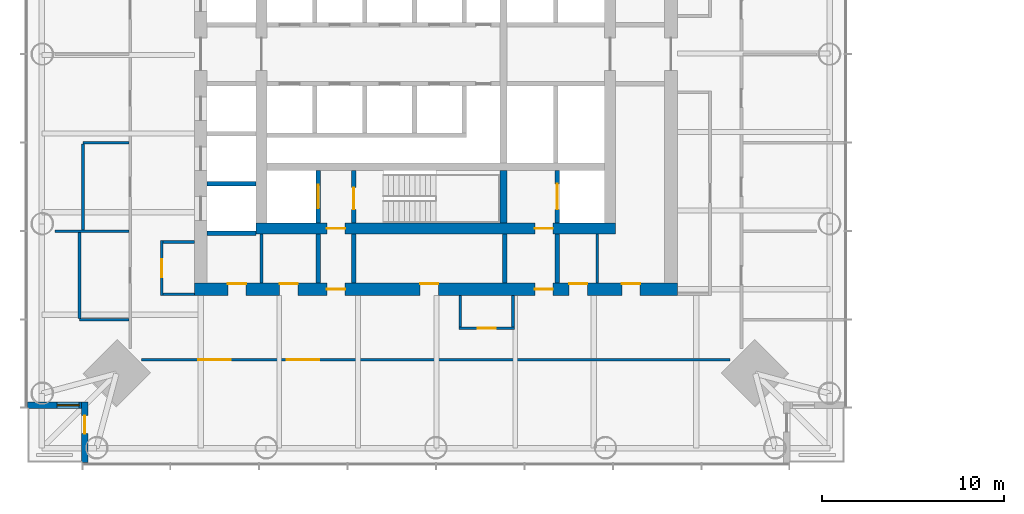
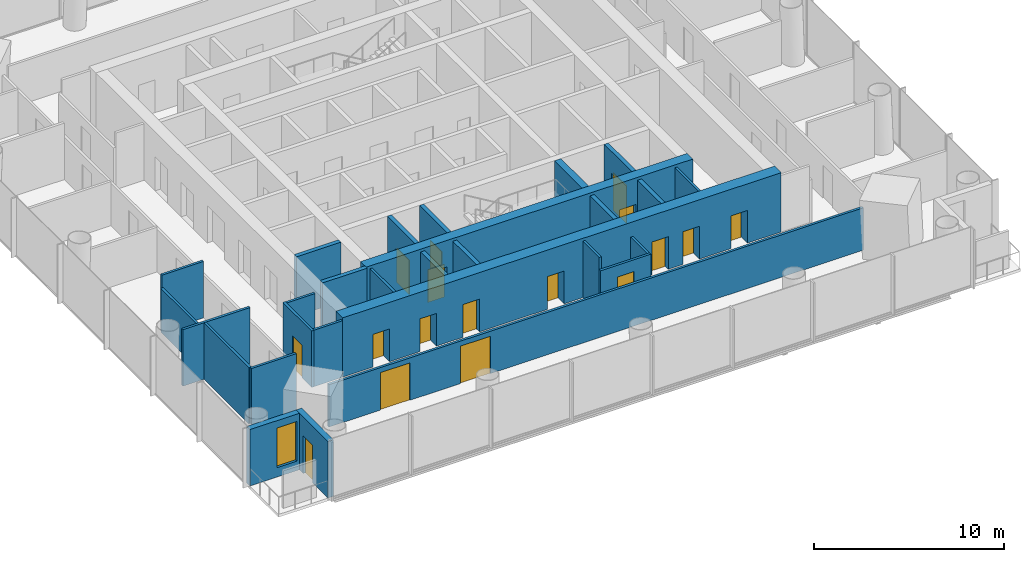
# One storey, part 8 of 18: 28 walls, 17 doors, 1 window, 18 openings.
"""IFC4 building model written with IfcOpenShell, lengths in metres."""

from ifc_helpers import new_model, si_unit, direction, frame, frame_2d, origin, place, context, subcontext, project, spatial, rectangle, extrude, material, layer, layer_set, type_object, element, fill, save


model = new_model("IFC4")

# Units and contexts
model_context = context("Model", 3, precision=1e-05, world=origin(), true_north=direction((0.0, 1.0)))
body_context = subcontext(model_context, "Body", "Model", "MODEL_VIEW")
ifc_project = project(units=[si_unit("LENGTHUNIT", "METRE"), si_unit("AREAUNIT", "SQUARE_METRE"), si_unit("VOLUMEUNIT", "CUBIC_METRE"), si_unit("PLANEANGLEUNIT", "RADIAN"), si_unit("MASSUNIT", "GRAM", prefix="KILO")], contexts=[model_context])

# Site, building, storey
site_placement = place(None, origin())
site = spatial("IfcSite", under=ifc_project, at=site_placement, CompositionType="ELEMENT")
building_placement = place(site_placement, origin())
building = spatial("IfcBuilding", under=site, at=building_placement, Name="Ostroluk Exchange", CompositionType="ELEMENT")
storey_placement = place(building_placement, frame((0.0, 0.0, 93.199951171875)))
storey = spatial("IfcBuildingStorey", under=building, at=storey_placement, Name="L23", CompositionType="ELEMENT", Elevation=93.199951171875)

# Walls
ifc_material_1 = material(Name="Concrete blockwork", Category="masonry")
ifc_layer_1 = layer(ifc_material_1, 0.14990234375)
ifc_layer_set_1 = layer_set([ifc_layer_1], Name="Blockwork plant room wall 150")
wall_type_1 = type_object("IfcWallType", Name="Blockwork plant room wall 150", PredefinedType="SOLIDWALL", material=ifc_layer_set_1)
for number, where, z_axis, x_axis, name in (
    (1, (35.39990234375, 33.39990234375, 0.0), (0.0, 0.0, 1.0), (0.0, 1.0, 0.0), "Core room wall"),
    (2, (53.887939453125, 33.39990234375, 0.0), (0.0, 0.0, 1.0), (0.0, 1.0, 0.0), "Core room wall"),
):
    element("IfcWall", number, at=place(storey_placement, frame(where, z_axis=z_axis, x_axis=x_axis)), inside=storey, type_object=wall_type_1, Name=name, PredefinedType="SOLIDWALL", context=body_context, shape_type="SweptSolid", body=[
        extrude(rectangle(XDim=2.7001953125, YDim=0.14990234375, at=frame_2d((1.35009765625, 0.0))), origin(), (0.0, 0.0, 1.0), 3.6201171875),
    ])
ifc_material_2 = material(Name="Concrete blockwork", Category="masonry")
ifc_layer_2 = layer(ifc_material_2, 0.25)
ifc_layer_set_2 = layer_set([ifc_layer_2], Name="Blockwork stair enclosure wall 250")
wall_type_2 = type_object("IfcWallType", Name="Blockwork stair enclosure wall 250", PredefinedType="SOLIDWALL", material=ifc_layer_set_2)
for number, where, z_axis, x_axis, name in (
    (3, (38.52490234375, 33.39990234375, 0.0), (0.0, 0.0, 1.0), (0.0, 1.0, 0.0), "Fire lobby enclosure wall"),
    (4, (40.47509765625, 33.39990234375, 0.0), (0.0, 0.0, 1.0), (0.0, 1.0, 0.0), "Fire lobby enclosure wall"),
    (5, (48.804931640625, 33.39990234375, 0.0), (0.0, 0.0, 1.0), (0.0, 1.0, 0.0), "Service lobby enclosure wall"),
    (6, (51.675048828125, 33.39990234375, 0.0), (0.0, 0.0, 1.0), (0.0, 1.0, 0.0), "Service lobby enclosure wall"),
):
    element("IfcWall", number, at=place(storey_placement, frame(where, z_axis=z_axis, x_axis=x_axis)), inside=storey, type_object=wall_type_2, Name=name, PredefinedType="SOLIDWALL", context=body_context, shape_type="SweptSolid", body=[
        extrude(rectangle(XDim=2.7001953125, YDim=0.25, at=frame_2d((1.35009765625, 0.0))), origin(), (0.0, 0.0, 1.0), 3.6201171875),
    ])
ifc_material_3 = material(Name="Concrete C50/60", Category="concrete")
ifc_layer_3 = layer(ifc_material_3, 0.39990234375)
ifc_layer_set_3 = layer_set([ifc_layer_3], Name="Core cross wall 400 C50/60")
wall_type_3 = type_object("IfcWallType", Name="Core cross wall 400 C50/60", PredefinedType="SHEAR", material=ifc_layer_set_3)
wall_1_placement = place(storey_placement, frame((48.72998046875, 36.699951171875, 0.0), z_axis=(0.0, 0.0, 1.0), x_axis=(0.0, 1.0, 0.0)))
element("IfcWall", 7, at=wall_1_placement, inside=storey, type_object=wall_type_3, Name="T1 core wall YE1", PredefinedType="SHEAR", context=body_context, shape_type="SweptSolid", body=[
    extrude(rectangle(XDim=2.900146484375, YDim=0.39990234375, at=frame_2d((1.4501953125, 0.0))), origin(), (0.0, 0.0, 1.0), 3.800048828125),
])

# Wall, opening, door
ifc_material_4 = material(Name="Concrete C40/50", Category="concrete")
ifc_layer_4 = layer(ifc_material_4, 0.25)
ifc_layer_set_4 = layer_set([ifc_layer_4], Name="Core shaft wall 250")
wall_type_4 = type_object("IfcWallType", Name="Core shaft wall 250", PredefinedType="SHEAR", material=ifc_layer_set_4)
wall_2_placement = place(storey_placement, frame((38.52490234375, 36.699951171875, 0.0), z_axis=(0.0, 0.0, 1.0), x_axis=(0.0, 1.0, 0.0)))
wall_2 = element("IfcWall", 8, at=wall_2_placement, inside=storey, type_object=wall_type_4, Name="Firefighting lift shaft wall", PredefinedType="SHEAR", context=body_context, shape_type="SweptSolid", body=[
    extrude(rectangle(XDim=2.900146484375, YDim=0.25, at=frame_2d((1.4501953125, 0.0))), origin(), (0.0, 0.0, 1.0), 3.800048828125),
])
opening_1_placement = place(wall_2_placement, frame((0.800048828125, 0.0, 0.0)))
opening_1 = element("IfcOpeningElement", 9, at=opening_1_placement, cuts=wall_2, Name="Opening LD2", PredefinedType="OPENING", context=body_context, shape_type="SweptSolid", body=[
    extrude(rectangle(XDim=1.300048828125, YDim=2.199951171875, at=frame_2d((0.64990234375, 1.10009765625))), frame((0.0, 0.135009765625, 0.0), z_axis=(0.0, -1.0, 0.0), x_axis=(1.0, 0.0, 0.0)), (0.0, 0.0, 1.0), 0.27001953125),
])
ifc_material_5 = material(Name="Stainless steel", Category="steel")
door_type_1 = type_object("IfcDoorType", Name="Lift landing door E 60 1300 x 2200", OperationType="DOUBLE_DOOR_SLIDING", PredefinedType="DOOR", material=ifc_material_5)
door_1_placement = place(opening_1_placement, origin())
door_1 = element("IfcDoor", 10, at=door_1_placement, inside=storey, type_object=door_type_1, Name="Lift FL1 landing door", OperationType="DOUBLE_DOOR_SLIDING", OverallHeight=2.199951171875, OverallWidth=1.300048828125, PredefinedType="DOOR", context=body_context, shape_type="SweptSolid", body=[
    extrude(rectangle(XDim=1.300048828125, YDim=2.199951171875, at=frame_2d((0.64990234375, 1.10009765625))), frame((0.0, 0.02490234375, 0.0), z_axis=(0.0, -1.0, 0.0), x_axis=(1.0, 0.0, 0.0)), (0.0, 0.0, 1.0), 0.050048828125),
])
fill(opening_1, door_1)

wall_3_placement = place(storey_placement, frame((40.47509765625, 36.699951171875, 0.0), z_axis=(0.0, 0.0, 1.0), x_axis=(0.0, 1.0, 0.0)))
wall_3 = element("IfcWall", 11, at=wall_3_placement, inside=storey, type_object=wall_type_4, Name="Stair shaft wall", PredefinedType="SHEAR", context=body_context, shape_type="SweptSolid", body=[
    extrude(rectangle(XDim=2.900146484375, YDim=0.25, at=frame_2d((1.4501953125, 0.0))), origin(), (0.0, 0.0, 1.0), 3.800048828125),
])
opening_2_placement = place(wall_3_placement, frame((0.75, 0.0, 0.0)))
opening_2 = element("IfcOpeningElement", 12, at=opening_2_placement, cuts=wall_3, Name="Opening FD60S", PredefinedType="OPENING", context=body_context, shape_type="SweptSolid", body=[
    extrude(rectangle(XDim=1.199951171875, YDim=2.10009765625, at=frame_2d((0.60009765625, 1.050048828125))), frame((0.0, 0.135009765625, 0.0), z_axis=(0.0, -1.0, 0.0), x_axis=(1.0, 0.0, 0.0)), (0.0, 0.0, 1.0), 0.27001953125),
])
ifc_material_6 = material(Name="Steel", Category="steel")
door_type_2 = type_object("IfcDoorType", Name="Stair door EI 60 1200 x 2100", OperationType="SINGLE_SWING_LEFT", PredefinedType="DOOR", material=ifc_material_6)
door_2_placement = place(opening_2_placement, origin())
door_2 = element("IfcDoor", 13, at=door_2_placement, inside=storey, type_object=door_type_2, Name="Stair T1-S1 door", OperationType="SINGLE_SWING_LEFT", OverallHeight=2.10009765625, OverallWidth=1.199951171875, PredefinedType="DOOR", context=body_context, shape_type="SweptSolid", body=[
    extrude(rectangle(XDim=1.199951171875, YDim=2.10009765625, at=frame_2d((0.60009765625, 1.050048828125))), frame((0.0, 0.02490234375, 0.0), z_axis=(0.0, -1.0, 0.0), x_axis=(1.0, 0.0, 0.0)), (0.0, 0.0, 1.0), 0.050048828125),
])
fill(opening_2, door_2)

wall_4_placement = place(storey_placement, frame((51.675048828125, 36.699951171875, 0.0), z_axis=(0.0, 0.0, 1.0), x_axis=(0.0, 1.0, 0.0)))
wall_4 = element("IfcWall", 14, at=wall_4_placement, inside=storey, type_object=wall_type_4, Name="Service lift shaft wall", PredefinedType="SHEAR", context=body_context, shape_type="SweptSolid", body=[
    extrude(rectangle(XDim=2.900146484375, YDim=0.25, at=frame_2d((1.4501953125, 0.0))), origin(), (0.0, 0.0, 1.0), 3.800048828125),
])
opening_3_placement = place(wall_4_placement, frame((0.75, 0.0, 0.0)))
opening_3 = element("IfcOpeningElement", 15, at=opening_3_placement, cuts=wall_4, Name="Opening LD3", PredefinedType="OPENING", context=body_context, shape_type="SweptSolid", body=[
    extrude(rectangle(XDim=1.39990234375, YDim=2.39990234375, at=frame_2d((0.699951171875, 1.199951171875))), frame((0.0, 0.135009765625, 0.0), z_axis=(0.0, -1.0, 0.0), x_axis=(1.0, 0.0, 0.0)), (0.0, 0.0, 1.0), 0.27001953125),
])
ifc_material_7 = material(Name="Stainless steel", Category="steel")
door_type_3 = type_object("IfcDoorType", Name="Goods lift landing door E 60 1400 x 2400", OperationType="DOUBLE_DOOR_SLIDING", PredefinedType="DOOR", material=ifc_material_7)
door_3_placement = place(opening_3_placement, origin())
door_3 = element("IfcDoor", 16, at=door_3_placement, inside=storey, type_object=door_type_3, Name="Lift SL1 landing door", OperationType="DOUBLE_DOOR_SLIDING", OverallHeight=2.39990234375, OverallWidth=1.39990234375, PredefinedType="DOOR", context=body_context, shape_type="SweptSolid", body=[
    extrude(rectangle(XDim=1.39990234375, YDim=2.39990234375, at=frame_2d((0.699951171875, 1.199951171875))), frame((0.0, 0.02490234375, 0.0), z_axis=(0.0, -1.0, 0.0), x_axis=(1.0, 0.0, 0.0)), (0.0, 0.0, 1.0), 0.050048828125),
])
fill(opening_3, door_3)

# Walls
for number, where, z_axis, x_axis, name in (
    (17, (32.39990234375, 36.125, 0.0), (0.0, 0.0, 1.0), (1.0, 0.0, 0.0), "Lift shaft wall"),
    (18, (32.39990234375, 38.875, 0.0), (0.0, 0.0, 1.0), (1.0, 0.0, 0.0), "Lift shaft wall"),
):
    element("IfcWall", number, at=place(storey_placement, frame(where, z_axis=z_axis, x_axis=x_axis)), inside=storey, type_object=wall_type_4, Name=name, PredefinedType="SHEAR", context=body_context, shape_type="SweptSolid", body=[
        extrude(rectangle(XDim=2.7001953125, YDim=0.25, at=frame_2d((1.35009765625, 0.0))), origin(), (0.0, 0.0, 1.0), 3.800048828125),
    ])

# Wall, openings, doors
ifc_material_8 = material(Name="Concrete C50/60", Category="concrete")
ifc_layer_5 = layer(ifc_material_8, 0.60009765625)
ifc_layer_set_5 = layer_set([ifc_layer_5], Name="Core wall 600 C50/60")
wall_type_5 = type_object("IfcWallType", Name="Core wall 600 C50/60", PredefinedType="SHEAR", material=ifc_layer_set_5)
wall_5_placement = place(storey_placement, frame((35.10009765625, 36.39990234375, 0.0), z_axis=(0.0, 0.0, 1.0), x_axis=(1.0, 0.0, 0.0)))
wall_5 = element("IfcWall", 19, at=wall_5_placement, inside=storey, type_object=wall_type_5, Name="T1 core wall S", PredefinedType="SHEAR", context=body_context, shape_type="SweptSolid", body=[
    extrude(rectangle(XDim=19.7998046875, YDim=0.60009765625, at=frame_2d((9.89990234375, 0.0))), origin(), (0.0, 0.0, 1.0), 3.800048828125),
])
opening_4_placement = place(wall_5_placement, frame((3.89990234375, 0.0, 0.0)))
opening_4 = element("IfcOpeningElement", 20, at=opening_4_placement, cuts=wall_5, Name="Opening FD60", PredefinedType="OPENING", context=body_context, shape_type="SweptSolid", body=[
    extrude(rectangle(XDim=1.0, YDim=2.10009765625, at=frame_2d((0.5, 1.050048828125))), frame((0.0, 0.31005859375, 0.0), z_axis=(0.0, -1.0, 0.0), x_axis=(1.0, 0.0, 0.0)), (0.0, 0.0, 1.0), 0.6201171875),
])
opening_5_placement = place(wall_5_placement, frame((15.35009765625, 0.0, 0.0)))
opening_5 = element("IfcOpeningElement", 21, at=opening_5_placement, cuts=wall_5, Name="Opening FD60", PredefinedType="OPENING", context=body_context, shape_type="SweptSolid", body=[
    extrude(rectangle(XDim=1.0, YDim=2.10009765625, at=frame_2d((0.5, 1.050048828125))), frame((0.0, 0.31005859375, 0.0), z_axis=(0.0, -1.0, 0.0), x_axis=(1.0, 0.0, 0.0)), (0.0, 0.0, 1.0), 0.6201171875),
])
ifc_material_9 = material(Name="Steel", Category="steel")
door_type_4 = type_object("IfcDoorType", Name="Fire door EI 60 1000 x 2100", OperationType="SINGLE_SWING_LEFT", PredefinedType="DOOR", material=ifc_material_9)
door_4_placement = place(opening_4_placement, origin())
door_4 = element("IfcDoor", 22, at=door_4_placement, inside=storey, type_object=door_type_4, Name="Firefighting lobby door", OperationType="SINGLE_SWING_LEFT", OverallHeight=2.10009765625, OverallWidth=1.0, PredefinedType="DOOR", context=body_context, shape_type="SweptSolid", body=[
    extrude(rectangle(XDim=1.0, YDim=2.10009765625, at=frame_2d((0.5, 1.050048828125))), frame((0.0, 0.02490234375, 0.0), z_axis=(0.0, -1.0, 0.0), x_axis=(1.0, 0.0, 0.0)), (0.0, 0.0, 1.0), 0.050048828125),
])
fill(opening_4, door_4)
door_5_placement = place(opening_5_placement, origin())
door_5 = element("IfcDoor", 23, at=door_5_placement, inside=storey, type_object=door_type_4, Name="Service lobby door", OperationType="SINGLE_SWING_RIGHT", OverallHeight=2.10009765625, OverallWidth=1.0, PredefinedType="DOOR", context=body_context, shape_type="SweptSolid", body=[
    extrude(rectangle(XDim=1.0, YDim=2.10009765625, at=frame_2d((0.5, 1.050048828125))), frame((0.0, 0.02490234375, 0.0), z_axis=(0.0, -1.0, 0.0), x_axis=(1.0, 0.0, 0.0)), (0.0, 0.0, 1.0), 0.050048828125),
])
fill(opening_5, door_5)

ifc_material_10 = material(Name="Concrete C50/60", Category="concrete")
ifc_layer_6 = layer(ifc_material_10, 0.699951171875)
ifc_layer_set_6 = layer_set([ifc_layer_6], Name="Core wall 700 C50/60")
wall_type_6 = type_object("IfcWallType", Name="Core wall 700 C50/60", PredefinedType="SHEAR", material=ifc_layer_set_6)
wall_6_placement = place(storey_placement, frame((31.699951171875, 33.050048828125, 0.0), z_axis=(0.0, 0.0, 1.0), x_axis=(1.0, 0.0, 0.0)))
wall_6 = element("IfcWall", 24, at=wall_6_placement, inside=storey, type_object=wall_type_6, Name="T1 core wall RS", PredefinedType="SHEAR", context=body_context, shape_type="SweptSolid", body=[
    extrude(rectangle(XDim=26.60009765625, YDim=0.699951171875, at=frame_2d((13.300048828125, 0.0))), origin(), (0.0, 0.0, 1.0), 3.800048828125),
])
opening_6_placement = place(wall_6_placement, frame((7.300048828125, 0.0, 0.0)))
opening_6 = element("IfcOpeningElement", 25, at=opening_6_placement, cuts=wall_6, Name="Opening FD60", PredefinedType="OPENING", context=body_context, shape_type="SweptSolid", body=[
    extrude(rectangle(XDim=1.0, YDim=2.10009765625, at=frame_2d((0.5, 1.050048828125))), frame((0.0, 0.35986328125, 0.0), z_axis=(0.0, -1.0, 0.0), x_axis=(1.0, 0.0, 0.0)), (0.0, 0.0, 1.0), 0.719970703125),
])
opening_7_placement = place(wall_6_placement, frame((18.75, 0.0, 0.0)))
opening_7 = element("IfcOpeningElement", 26, at=opening_7_placement, cuts=wall_6, Name="Opening FD60", PredefinedType="OPENING", context=body_context, shape_type="SweptSolid", body=[
    extrude(rectangle(XDim=1.0, YDim=2.10009765625, at=frame_2d((0.5, 1.050048828125))), frame((0.0, 0.35986328125, 0.0), z_axis=(0.0, -1.0, 0.0), x_axis=(1.0, 0.0, 0.0)), (0.0, 0.0, 1.0), 0.719970703125),
])
opening_8_placement = place(wall_6_placement, frame((1.85009765625, 0.0, 0.0)))
opening_8 = element("IfcOpeningElement", 27, at=opening_8_placement, cuts=wall_6, Name="Opening FD60", PredefinedType="OPENING", context=body_context, shape_type="SweptSolid", body=[
    extrude(rectangle(XDim=1.0, YDim=2.10009765625, at=frame_2d((0.5, 1.050048828125))), frame((0.0, 0.35986328125, 0.0), z_axis=(0.0, -1.0, 0.0), x_axis=(1.0, 0.0, 0.0)), (0.0, 0.0, 1.0), 0.719970703125),
])
opening_9_placement = place(wall_6_placement, frame((4.699951171875, 0.0, 0.0)))
opening_9 = element("IfcOpeningElement", 28, at=opening_9_placement, cuts=wall_6, Name="Opening FD60", PredefinedType="OPENING", context=body_context, shape_type="SweptSolid", body=[
    extrude(rectangle(XDim=1.0, YDim=2.10009765625, at=frame_2d((0.5, 1.050048828125))), frame((0.0, 0.35986328125, 0.0), z_axis=(0.0, -1.0, 0.0), x_axis=(1.0, 0.0, 0.0)), (0.0, 0.0, 1.0), 0.719970703125),
])
opening_10_placement = place(wall_6_placement, frame((12.43994140625, 0.0, 0.0)))
opening_10 = element("IfcOpeningElement", 29, at=opening_10_placement, cuts=wall_6, Name="Opening FD60", PredefinedType="OPENING", context=body_context, shape_type="SweptSolid", body=[
    extrude(rectangle(XDim=1.0, YDim=2.10009765625, at=frame_2d((0.5, 1.050048828125))), frame((0.0, 0.35986328125, 0.0), z_axis=(0.0, -1.0, 0.0), x_axis=(1.0, 0.0, 0.0)), (0.0, 0.0, 1.0), 0.719970703125),
])
opening_11_placement = place(wall_6_placement, frame((20.64404296875, 0.0, 0.0)))
opening_11 = element("IfcOpeningElement", 30, at=opening_11_placement, cuts=wall_6, Name="Opening FD60", PredefinedType="OPENING", context=body_context, shape_type="SweptSolid", body=[
    extrude(rectangle(XDim=1.0, YDim=2.10009765625, at=frame_2d((0.5, 1.050048828125))), frame((0.0, 0.35986328125, 0.0), z_axis=(0.0, -1.0, 0.0), x_axis=(1.0, 0.0, 0.0)), (0.0, 0.0, 1.0), 0.719970703125),
])
opening_12_placement = place(wall_6_placement, frame((23.5439453125, 0.0, 0.0)))
opening_12 = element("IfcOpeningElement", 31, at=opening_12_placement, cuts=wall_6, Name="Opening FD60", PredefinedType="OPENING", context=body_context, shape_type="SweptSolid", body=[
    extrude(rectangle(XDim=1.0, YDim=2.10009765625, at=frame_2d((0.5, 1.050048828125))), frame((0.0, 0.35986328125, 0.0), z_axis=(0.0, -1.0, 0.0), x_axis=(1.0, 0.0, 0.0)), (0.0, 0.0, 1.0), 0.719970703125),
])
door_6_placement = place(opening_6_placement, origin())
door_6 = element("IfcDoor", 32, at=door_6_placement, inside=storey, type_object=door_type_4, Name="Firefighting lobby door", OperationType="SINGLE_SWING_LEFT", OverallHeight=2.10009765625, OverallWidth=1.0, PredefinedType="DOOR", context=body_context, shape_type="SweptSolid", body=[
    extrude(rectangle(XDim=1.0, YDim=2.10009765625, at=frame_2d((0.5, 1.050048828125))), frame((0.0, 0.02490234375, 0.0), z_axis=(0.0, -1.0, 0.0), x_axis=(1.0, 0.0, 0.0)), (0.0, 0.0, 1.0), 0.050048828125),
])
fill(opening_6, door_6)
door_7_placement = place(opening_7_placement, origin())
door_7 = element("IfcDoor", 33, at=door_7_placement, inside=storey, type_object=door_type_4, Name="Service lobby door", OperationType="SINGLE_SWING_RIGHT", OverallHeight=2.10009765625, OverallWidth=1.0, PredefinedType="DOOR", context=body_context, shape_type="SweptSolid", body=[
    extrude(rectangle(XDim=1.0, YDim=2.10009765625, at=frame_2d((0.5, 1.050048828125))), frame((0.0, 0.02490234375, 0.0), z_axis=(0.0, -1.0, 0.0), x_axis=(1.0, 0.0, 0.0)), (0.0, 0.0, 1.0), 0.050048828125),
])
fill(opening_7, door_7)
door_8_placement = place(opening_8_placement, origin())
door_8 = element("IfcDoor", 34, at=door_8_placement, inside=storey, type_object=door_type_4, Name="Archive door", OperationType="SINGLE_SWING_LEFT", OverallHeight=2.10009765625, OverallWidth=1.0, PredefinedType="DOOR", context=body_context, shape_type="SweptSolid", body=[
    extrude(rectangle(XDim=1.0, YDim=2.10009765625, at=frame_2d((0.5, 1.050048828125))), frame((0.0, 0.33984375, 0.0), z_axis=(0.0, -1.0, 0.0), x_axis=(1.0, 0.0, 0.0)), (0.0, 0.0, 1.0), 0.050048828125),
])
fill(opening_8, door_8)
door_9_placement = place(opening_9_placement, origin())
door_9 = element("IfcDoor", 35, at=door_9_placement, inside=storey, type_object=door_type_4, Name="Tenant IT room door", OperationType="SINGLE_SWING_LEFT", OverallHeight=2.10009765625, OverallWidth=1.0, PredefinedType="DOOR", context=body_context, shape_type="SweptSolid", body=[
    extrude(rectangle(XDim=1.0, YDim=2.10009765625, at=frame_2d((0.5, 1.050048828125))), frame((0.0, 0.33984375, 0.0), z_axis=(0.0, -1.0, 0.0), x_axis=(1.0, 0.0, 0.0)), (0.0, 0.0, 1.0), 0.050048828125),
])
fill(opening_9, door_9)
door_10_placement = place(opening_10_placement, origin())
door_10 = element("IfcDoor", 36, at=door_10_placement, inside=storey, type_object=door_type_4, Name="Tea point door", OperationType="SINGLE_SWING_LEFT", OverallHeight=2.10009765625, OverallWidth=1.0, PredefinedType="DOOR", context=body_context, shape_type="SweptSolid", body=[
    extrude(rectangle(XDim=1.0, YDim=2.10009765625, at=frame_2d((0.5, 1.050048828125))), frame((0.0, 0.33984375, 0.0), z_axis=(0.0, -1.0, 0.0), x_axis=(1.0, 0.0, 0.0)), (0.0, 0.0, 1.0), 0.050048828125),
])
fill(opening_10, door_10)
door_11_placement = place(opening_11_placement, origin())
door_11 = element("IfcDoor", 37, at=door_11_placement, inside=storey, type_object=door_type_4, Name="Store door", OperationType="SINGLE_SWING_RIGHT", OverallHeight=2.10009765625, OverallWidth=1.0, PredefinedType="DOOR", context=body_context, shape_type="SweptSolid", body=[
    extrude(rectangle(XDim=1.0, YDim=2.10009765625, at=frame_2d((0.5, 1.050048828125))), frame((0.0, 0.33984375, 0.0), z_axis=(0.0, -1.0, 0.0), x_axis=(1.0, 0.0, 0.0)), (0.0, 0.0, 1.0), 0.050048828125),
])
fill(opening_11, door_11)
door_12_placement = place(opening_12_placement, origin())
door_12 = element("IfcDoor", 38, at=door_12_placement, inside=storey, type_object=door_type_4, Name="First aid room door", OperationType="SINGLE_SWING_RIGHT", OverallHeight=2.10009765625, OverallWidth=1.0, PredefinedType="DOOR", context=body_context, shape_type="SweptSolid", body=[
    extrude(rectangle(XDim=1.0, YDim=2.10009765625, at=frame_2d((0.5, 1.050048828125))), frame((0.0, 0.33984375, 0.0), z_axis=(0.0, -1.0, 0.0), x_axis=(1.0, 0.0, 0.0)), (0.0, 0.0, 1.0), 0.050048828125),
])
fill(opening_12, door_12)

# Wall, opening, door
ifc_material_11 = material(Name="Limestone", Category="masonry")
ifc_layer_7 = layer(ifc_material_11, 0.35009765625)
ifc_layer_set_7 = layer_set([ifc_layer_7], Name="Limestone facade wall 350")
wall_type_7 = type_object("IfcWallType", Name="Limestone facade wall 350", PredefinedType="SOLIDWALL", material=ifc_layer_set_7)
wall_7_placement = place(storey_placement, frame((25.675048828125, 23.5, 0.0), z_axis=(0.0, 0.0, 1.0), x_axis=(0.0, 1.0, 0.0)))
wall_7 = element("IfcWall", 39, at=wall_7_placement, inside=storey, type_object=wall_type_7, Name="Office tower SW corner wall L23 a", PredefinedType="SOLIDWALL", context=body_context, shape_type="SweptSolid", body=[
    extrude(rectangle(XDim=3.35009765625, YDim=0.35009765625, at=frame_2d((1.675048828125, 0.0))), origin(), (0.0, 0.0, 1.0), 3.6201171875),
])
opening_13_placement = place(wall_7_placement, frame((1.60009765625, 0.0, 0.0)))
opening_13 = element("IfcOpeningElement", 40, at=opening_13_placement, cuts=wall_7, Name="Opening D-B1", PredefinedType="OPENING", context=body_context, shape_type="SweptSolid", body=[
    extrude(rectangle(XDim=1.0, YDim=2.39990234375, at=frame_2d((0.5, 1.199951171875))), frame((0.0, 0.18505859375, 0.0), z_axis=(0.0, -1.0, 0.0), x_axis=(1.0, 0.0, 0.0)), (0.0, 0.0, 1.0), 0.3701171875),
])
ifc_material_12 = material(Name="Bronze framed glazed door", Category="aluminium")
door_type_5 = type_object("IfcDoorType", Name="Balcony door 1000 x 2400", OperationType="SINGLE_SWING_LEFT", PredefinedType="DOOR", material=ifc_material_12)
door_13_placement = place(opening_13_placement, origin())
door_13 = element("IfcDoor", 41, at=door_13_placement, inside=storey, type_object=door_type_5, Name="Office tower SW balcony door L23", OperationType="SINGLE_SWING_RIGHT", OverallHeight=2.39990234375, OverallWidth=1.0, PredefinedType="DOOR", context=body_context, shape_type="SweptSolid", body=[
    extrude(rectangle(XDim=1.0, YDim=2.39990234375, at=frame_2d((0.5, 1.199951171875))), frame((0.0, 0.02490234375, 0.0), z_axis=(0.0, -1.0, 0.0), x_axis=(1.0, 0.0, 0.0)), (0.0, 0.0, 1.0), 0.050048828125),
])
fill(opening_13, door_13)

# Wall, opening, window
wall_8_placement = place(storey_placement, frame((25.5, 26.675048828125, 0.0), z_axis=(0.0, 0.0, 1.0), x_axis=(-1.0, 0.0, 0.0)))
wall_8 = element("IfcWall", 42, at=wall_8_placement, inside=storey, type_object=wall_type_7, Name="Office tower SW corner wall L23 b", PredefinedType="SOLIDWALL", context=body_context, shape_type="SweptSolid", body=[
    extrude(rectangle(XDim=3.0, YDim=0.35009765625, at=frame_2d((1.5, 0.0))), origin(), (0.0, 0.0, 1.0), 3.6201171875),
])
opening_14_placement = place(wall_8_placement, frame((0.14990234375, 0.0, 0.60009765625)))
opening_14 = element("IfcOpeningElement", 43, at=opening_14_placement, cuts=wall_8, Name="Opening WN-L1", PredefinedType="OPENING", context=body_context, shape_type="SweptSolid", body=[
    extrude(rectangle(XDim=1.199951171875, YDim=2.550048828125, at=frame_2d((0.60009765625, 1.27490234375))), frame((0.0, 0.18505859375, 0.0), z_axis=(0.0, -1.0, 0.0), x_axis=(1.0, 0.0, 0.0)), (0.0, 0.0, 1.0), 0.3701171875),
])
ifc_material_13 = material(Name="Laminated clear glass", Category="glass")
window_type = type_object("IfcWindowType", Name="Lancet window 1200 x 2550", PartitioningType="SINGLE_PANEL", PredefinedType="WINDOW", material=ifc_material_13)
window_placement = place(opening_14_placement, origin())
window = element("IfcWindow", 44, at=window_placement, inside=storey, type_object=window_type, Name="Office tower SW lancet window L23", OverallHeight=2.550048828125, OverallWidth=1.199951171875, PartitioningType="SINGLE_PANEL", PredefinedType="WINDOW", context=body_context, shape_type="SweptSolid", body=[
    extrude(rectangle(XDim=1.199951171875, YDim=2.550048828125, at=frame_2d((0.60009765625, 1.27490234375))), frame((0.0, 0.030029296875, 0.0), z_axis=(0.0, -1.0, 0.0), x_axis=(1.0, 0.0, 0.0)), (0.0, 0.0, 1.0), 0.06005859375),
])
fill(opening_14, window)

# Wall, opening, door
ifc_material_14 = material(Name="Gypsum plasterboard partition", Category="gypsum")
ifc_layer_8 = layer(ifc_material_14, 0.14990234375)
ifc_layer_set_8 = layer_set([ifc_layer_8], Name="Plasterboard partition 150")
wall_type_8 = type_object("IfcWallType", Name="Plasterboard partition 150", PredefinedType="PARTITIONING", material=ifc_layer_set_8)
wall_9_placement = place(storey_placement, frame((29.89990234375, 35.72509765625, 0.0), z_axis=(0.0, 0.0, 1.0), x_axis=(0.0, -1.0, 0.0)))
wall_9 = element("IfcWall", 45, at=wall_9_placement, inside=storey, type_object=wall_type_8, Name="Partition", PredefinedType="PARTITIONING", context=body_context, shape_type="SweptSolid", body=[
    extrude(rectangle(XDim=3.025146484375, YDim=0.14990234375, at=frame_2d((1.5126953125, 0.0))), origin(), (0.0, 0.0, 1.0), 3.6201171875),
])
opening_15_placement = place(wall_9_placement, frame((1.012451171875, 0.0, 0.0)))
opening_15 = element("IfcOpeningElement", 46, at=opening_15_placement, cuts=wall_9, Name="Opening D-03", PredefinedType="OPENING", context=body_context, shape_type="SweptSolid", body=[
    extrude(rectangle(XDim=1.0, YDim=2.10009765625, at=frame_2d((0.5, 1.050048828125))), frame((0.0, 0.0849609375, 0.0), z_axis=(0.0, -1.0, 0.0), x_axis=(1.0, 0.0, 0.0)), (0.0, 0.0, 1.0), 0.169921875),
])
ifc_material_15 = material(Name="Timber", Category="wood")
door_type_6 = type_object("IfcDoorType", Name="Internal door 1000 x 2100", OperationType="SINGLE_SWING_LEFT", PredefinedType="DOOR", material=ifc_material_15)
door_14_placement = place(opening_15_placement, origin())
door_14 = element("IfcDoor", 47, at=door_14_placement, inside=storey, type_object=door_type_6, Name="Interview room door", OperationType="SINGLE_SWING_RIGHT", OverallHeight=2.10009765625, OverallWidth=1.0, PredefinedType="DOOR", context=body_context, shape_type="SweptSolid", body=[
    extrude(rectangle(XDim=1.0, YDim=2.10009765625, at=frame_2d((0.5, 1.050048828125))), frame((0.0, 0.02490234375, 0.0), z_axis=(0.0, -1.0, 0.0), x_axis=(1.0, 0.0, 0.0)), (0.0, 0.0, 1.0), 0.050048828125),
])
fill(opening_15, door_14)

# Walls
for number, where, z_axis, x_axis, name in (
    (48, (31.699951171875, 35.64990234375, 0.0), (0.0, 0.0, 1.0), (-1.0, 0.0, 0.0), "Partition"),
    (49, (31.699951171875, 32.77490234375, 0.0), (0.0, 0.0, 1.0), (-1.0, 0.0, 0.0), "Partition"),
):
    element("IfcWall", number, at=place(storey_placement, frame(where, z_axis=z_axis, x_axis=x_axis)), inside=storey, type_object=wall_type_8, Name=name, PredefinedType="PARTITIONING", context=body_context, shape_type="SweptSolid", body=[
        extrude(rectangle(XDim=1.724853515625, YDim=0.14990234375, at=frame_2d((0.8623046875, 0.0))), origin(), (0.0, 0.0, 1.0), 3.6201171875),
    ])

# Wall, opening, door
wall_10_placement = place(storey_placement, frame((46.264892578125, 30.89990234375, 0.0), z_axis=(0.0, 0.0, 1.0), x_axis=(1.0, 0.0, 0.0)))
wall_10 = element("IfcWall", 50, at=wall_10_placement, inside=storey, type_object=wall_type_8, Name="Partition", PredefinedType="PARTITIONING", context=body_context, shape_type="SweptSolid", body=[
    extrude(rectangle(XDim=3.06005859375, YDim=0.14990234375, at=frame_2d((1.530029296875, 0.0))), origin(), (0.0, 0.0, 1.0), 2.858154296875),
])
opening_16_placement = place(wall_10_placement, frame((1.030029296875, 0.0, 0.0)))
opening_16 = element("IfcOpeningElement", 51, at=opening_16_placement, cuts=wall_10, Name="Opening D-03", PredefinedType="OPENING", context=body_context, shape_type="SweptSolid", body=[
    extrude(rectangle(XDim=1.0, YDim=2.10009765625, at=frame_2d((0.5, 1.050048828125))), frame((0.0, 0.0849609375, 0.0), z_axis=(0.0, -1.0, 0.0), x_axis=(1.0, 0.0, 0.0)), (0.0, 0.0, 1.0), 0.169921875),
])
door_15_placement = place(opening_16_placement, origin())
door_15 = element("IfcDoor", 52, at=door_15_placement, inside=storey, type_object=door_type_6, Name="Meeting room door", OperationType="SINGLE_SWING_LEFT", OverallHeight=2.10009765625, OverallWidth=1.0, PredefinedType="DOOR", context=body_context, shape_type="SweptSolid", body=[
    extrude(rectangle(XDim=1.0, YDim=2.10009765625, at=frame_2d((0.5, 1.050048828125))), frame((0.0, 0.02490234375, 0.0), z_axis=(0.0, -1.0, 0.0), x_axis=(1.0, 0.0, 0.0)), (0.0, 0.0, 1.0), 0.050048828125),
])
fill(opening_16, door_15)

# Walls
wall_11_placement = place(storey_placement, frame((46.340087890625, 32.699951171875, 0.0), z_axis=(0.0, 0.0, 1.0), x_axis=(0.0, -1.0, 0.0)))
element("IfcWall", 53, at=wall_11_placement, inside=storey, type_object=wall_type_8, Name="Partition", PredefinedType="PARTITIONING", context=body_context, shape_type="SweptSolid", body=[
    extrude(rectangle(XDim=1.724853515625, YDim=0.14990234375, at=frame_2d((0.8623046875, 0.0))), origin(), (0.0, 0.0, 1.0), 3.6201171875),
])
wall_12_placement = place(storey_placement, frame((49.25, 32.699951171875, 0.0), z_axis=(0.0, 0.0, 1.0), x_axis=(0.0, -1.0, 0.0)))
element("IfcWall", 54, at=wall_12_placement, inside=storey, type_object=wall_type_8, Name="Partition", PredefinedType="PARTITIONING", context=body_context, shape_type="SweptSolid", body=[
    extrude(rectangle(XDim=1.724853515625, YDim=0.14990234375, at=frame_2d((0.8623046875, 0.0))), origin(), (0.0, 0.0, 1.0), 2.858154296875),
])
wall_13_placement = place(storey_placement, frame((28.10009765625, 41.125, 0.0), z_axis=(0.0, 0.0, 1.0), x_axis=(-1.0, 0.0, 0.0)))
element("IfcWall", 55, at=wall_13_placement, inside=storey, type_object=wall_type_8, Name="Partition", PredefinedType="PARTITIONING", context=body_context, shape_type="SweptSolid", body=[
    extrude(rectangle(XDim=2.525146484375, YDim=0.14990234375, at=frame_2d((1.2626953125, 0.0))), origin(), (0.0, 0.0, 1.0), 3.6201171875),
])
wall_14_placement = place(storey_placement, frame((28.10009765625, 36.25, 0.0), z_axis=(0.0, 0.0, 1.0), x_axis=(-1.0, 0.0, 0.0)))
element("IfcWall", 56, at=wall_14_placement, inside=storey, type_object=wall_type_8, Name="Partition", PredefinedType="PARTITIONING", context=body_context, shape_type="SweptSolid", body=[
    extrude(rectangle(XDim=4.06201171875, YDim=0.14990234375, at=frame_2d((2.031005859375, 0.0))), origin(), (0.0, 0.0, 1.0), 3.6201171875),
])
wall_15_placement = place(storey_placement, frame((28.10009765625, 31.375, 0.0), z_axis=(0.0, 0.0, 1.0), x_axis=(-1.0, 0.0, 0.0)))
element("IfcWall", 57, at=wall_15_placement, inside=storey, type_object=wall_type_8, Name="Partition", PredefinedType="PARTITIONING", context=body_context, shape_type="SweptSolid", body=[
    extrude(rectangle(XDim=2.72509765625, YDim=0.14990234375, at=frame_2d((1.362548828125, 0.0))), origin(), (0.0, 0.0, 1.0), 3.6201171875),
])

# Wall, openings, doors
wall_16_placement = place(storey_placement, frame((28.795654296875, 29.175048828125, 0.0), z_axis=(0.0, 0.0, 1.0), x_axis=(1.0, 0.0, 0.0)))
wall_16 = element("IfcWall", 58, at=wall_16_placement, inside=storey, type_object=wall_type_8, Name="Partition", PredefinedType="PARTITIONING", context=body_context, shape_type="SweptSolid", body=[
    extrude(rectangle(XDim=32.40869140625, YDim=0.14990234375, at=frame_2d((16.204345703125, 0.0))), origin(), (0.0, 0.0, 1.0), 2.719970703125),
])
opening_17_placement = place(wall_16_placement, frame((3.116943359375, 0.0, 0.0)))
opening_17 = element("IfcOpeningElement", 59, at=opening_17_placement, cuts=wall_16, Name="Opening D-04", PredefinedType="OPENING", context=body_context, shape_type="SweptSolid", body=[
    extrude(rectangle(XDim=1.800048828125, YDim=2.39990234375, at=frame_2d((0.89990234375, 1.199951171875))), frame((0.0, 0.0849609375, 0.0), z_axis=(0.0, -1.0, 0.0), x_axis=(1.0, 0.0, 0.0)), (0.0, 0.0, 1.0), 0.169921875),
])
opening_18_placement = place(wall_16_placement, frame((7.991943359375, 0.0, 0.0)))
opening_18 = element("IfcOpeningElement", 60, at=opening_18_placement, cuts=wall_16, Name="Opening D-04", PredefinedType="OPENING", context=body_context, shape_type="SweptSolid", body=[
    extrude(rectangle(XDim=1.800048828125, YDim=2.39990234375, at=frame_2d((0.89990234375, 1.199951171875))), frame((0.0, 0.0849609375, 0.0), z_axis=(0.0, -1.0, 0.0), x_axis=(1.0, 0.0, 0.0)), (0.0, 0.0, 1.0), 0.169921875),
])
ifc_material_16 = material(Name="Timber", Category="wood")
door_type_7 = type_object("IfcDoorType", Name="Double door 1800 x 2400", OperationType="DOUBLE_DOOR_SINGLE_SWING", PredefinedType="DOOR", material=ifc_material_16)
door_16_placement = place(opening_17_placement, origin())
door_16 = element("IfcDoor", 61, at=door_16_placement, inside=storey, type_object=door_type_7, Name="Open plan office door", OperationType="DOUBLE_DOOR_SINGLE_SWING", OverallHeight=2.39990234375, OverallWidth=1.800048828125, PredefinedType="DOOR", context=body_context, shape_type="SweptSolid", body=[
    extrude(rectangle(XDim=1.800048828125, YDim=2.39990234375, at=frame_2d((0.89990234375, 1.199951171875))), frame((0.0, 0.02490234375, 0.0), z_axis=(0.0, -1.0, 0.0), x_axis=(1.0, 0.0, 0.0)), (0.0, 0.0, 1.0), 0.050048828125),
])
fill(opening_17, door_16)
door_17_placement = place(opening_18_placement, origin())
door_17 = element("IfcDoor", 62, at=door_17_placement, inside=storey, type_object=door_type_7, Name="Open plan office door", OperationType="DOUBLE_DOOR_SINGLE_SWING", OverallHeight=2.39990234375, OverallWidth=1.800048828125, PredefinedType="DOOR", context=body_context, shape_type="SweptSolid", body=[
    extrude(rectangle(XDim=1.800048828125, YDim=2.39990234375, at=frame_2d((0.89990234375, 1.199951171875))), frame((0.0, 0.02490234375, 0.0), z_axis=(0.0, -1.0, 0.0), x_axis=(1.0, 0.0, 0.0)), (0.0, 0.0, 1.0), 0.050048828125),
])
fill(opening_18, door_17)

# Walls
ifc_material_17 = material(Name="Gypsum plasterboard partition, moisture resistant", Category="gypsum")
ifc_layer_9 = layer(ifc_material_17, 0.14990234375)
ifc_layer_set_9 = layer_set([ifc_layer_9], Name="Plasterboard toilet partition 150")
wall_type_9 = type_object("IfcWallType", Name="Plasterboard toilet partition 150", PredefinedType="PARTITIONING", material=ifc_layer_set_9)
wall_17_placement = place(storey_placement, frame((25.574951171875, 41.050048828125, 0.0), z_axis=(0.0, 0.0, 1.0), x_axis=(0.0, -1.0, 0.0)))
element("IfcWall", 63, at=wall_17_placement, inside=storey, type_object=wall_type_9, Name="Toilet partition", PredefinedType="PARTITIONING", context=body_context, shape_type="SweptSolid", body=[
    extrude(rectangle(XDim=4.72509765625, YDim=0.14990234375, at=frame_2d((2.362548828125, 0.0))), origin(), (0.0, 0.0, 1.0), 2.80615234375),
])
wall_18_placement = place(storey_placement, frame((25.375, 36.175048828125, 0.0), z_axis=(0.0, 0.0, 1.0), x_axis=(0.0, -1.0, 0.0)))
element("IfcWall", 64, at=wall_18_placement, inside=storey, type_object=wall_type_9, Name="Toilet partition", PredefinedType="PARTITIONING", context=body_context, shape_type="SweptSolid", body=[
    extrude(rectangle(XDim=4.72509765625, YDim=0.14990234375, at=frame_2d((2.362548828125, 0.0))), origin(), (0.0, 0.0, 1.0), 3.6201171875),
])

save(model, "model.ifc")
